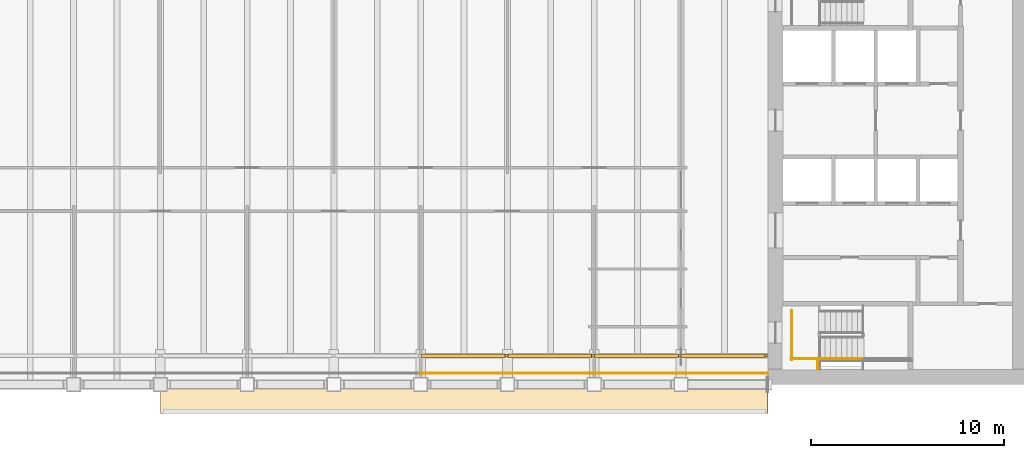
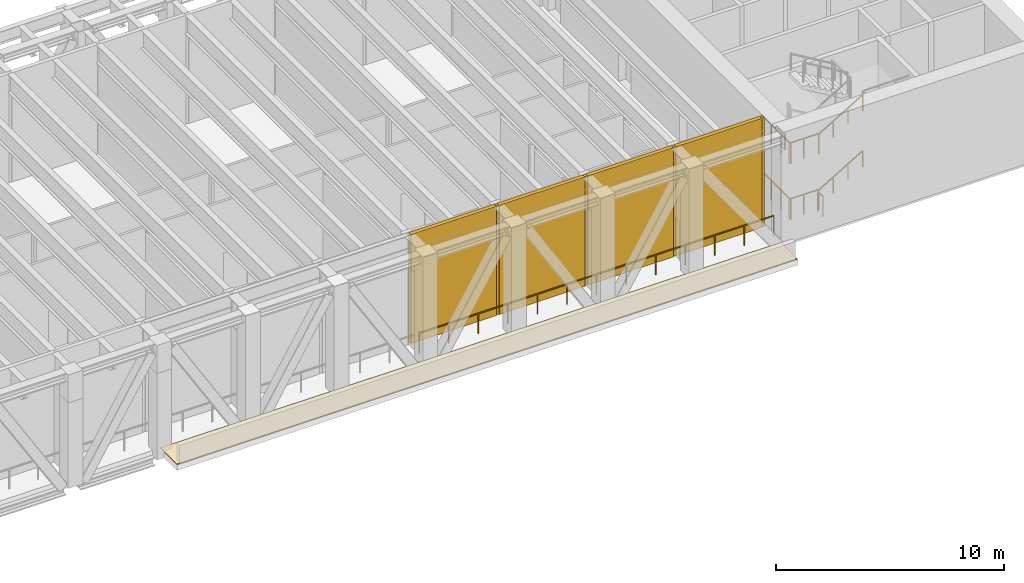
# One storey, part 16 of 20: 11 railings, 8 shading devices, 1 covering.
"""IFC4 building model written with IfcOpenShell, lengths in metres."""

import ifcopenshell
import ifcopenshell.guid

model = None  # the IFC model being written
_history = None  # IfcOwnerHistory: only IFC2X3 demands one
_inside = {}  # id of a spatial element -> (the spatial element, [elements in it])
_under = {}  # id of a project, library or spatial element -> (it, [spatial elements below it])
_declared = {}  # id of a project -> (the project, [libraries it declares])
_typed = {}  # id of a type object -> (the type object, [elements of that type])
_made_of = {}  # id of a material, layer set ... -> (it, [elements and type objects made of it])


def new_model(schema):
    """Start an empty IFC model of exactly this schema.

    Asked for "IFC4X3", IfcOpenShell would pick the latest addendum, in which some entities
    have other attributes; the version numbers below select the first issue.
    IFC2X3 requires an IfcOwnerHistory on every rooted entity: one is made here for all.
    """
    global model, _history
    if schema == "IFC4X3":
        model = ifcopenshell.file(schema_version=(4, 3, 0, 0))
    else:
        model = ifcopenshell.file(schema=schema)
    _inside.clear()
    _under.clear()
    _declared.clear()
    _typed.clear()
    _made_of.clear()
    _history = None
    if model.schema == "IFC2X3":
        org = make("IfcOrganization", Name="unknown")
        user = make(
            "IfcPersonAndOrganization",
            ThePerson=make("IfcPerson", FamilyName="unknown"),
            TheOrganization=org,
        )
        app = make(
            "IfcApplication",
            ApplicationDeveloper=org,
            Version="unknown",
            ApplicationFullName="unknown",
            ApplicationIdentifier="unknown",
        )
        _history = make(
            "IfcOwnerHistory",
            OwningUser=user,
            OwningApplication=app,
            ChangeAction="ADDED",
            CreationDate=0,
        )
    return model


def make(cls, **values):
    """One entity of the class cls with the attributes given. An attribute that is None is left unset."""
    return model.create_entity(
        cls, **{name: value for name, value in values.items() if value is not None}
    )


def rooted(cls, **values):
    """An entity with a GlobalId (a new one), such as an element, a storey or a relation."""
    return make(cls, GlobalId=ifcopenshell.guid.new(), OwnerHistory=_history, **values)


def si_unit(unit_type, name, prefix=None):
    """IfcSIUnit, for example si_unit("LENGTHUNIT", "METRE", prefix="MILLI")."""
    return make("IfcSIUnit", UnitType=unit_type, Prefix=prefix, Name=name)


def assignment(units):
    """IfcUnitAssignment: the units of a project."""
    return None if units is None else make("IfcUnitAssignment", Units=units)


def point(xyz):
    """IfcCartesianPoint."""
    return None if xyz is None else make("IfcCartesianPoint", Coordinates=xyz)


def direction(xyz):
    """IfcDirection."""
    return None if xyz is None else make("IfcDirection", DirectionRatios=xyz)


def frame(location, z_axis=None, x_axis=None):
    """IfcAxis2Placement3D, a coordinate frame: its origin and axes. An axis left out is left unset."""
    return make(
        "IfcAxis2Placement3D",
        Location=point(location),
        Axis=direction(z_axis),
        RefDirection=direction(x_axis),
    )


def frame_2d(location, x_axis=None):
    """IfcAxis2Placement2D, a coordinate frame in the plane: its origin and x axis."""
    return make(
        "IfcAxis2Placement2D", Location=point(location), RefDirection=direction(x_axis)
    )


def origin():
    """The frame at (0, 0, 0) with its axes left unset."""
    return frame((0.0, 0.0, 0.0))


def origin_2d():
    """The frame at (0, 0) in the plane with its x axis left unset."""
    return frame_2d((0.0, 0.0))


def place(relative_to, where):
    """IfcLocalPlacement: puts the frame where relative to a parent placement (None: the world)."""
    return make(
        "IfcLocalPlacement", PlacementRelTo=relative_to, RelativePlacement=where
    )


def context(
    kind, dimensions, precision=None, world=None, true_north=None, identifier=None
):
    """IfcGeometricRepresentationContext, for example the 3D "Model" context."""
    return make(
        "IfcGeometricRepresentationContext",
        ContextIdentifier=identifier,
        ContextType=kind,
        CoordinateSpaceDimension=dimensions,
        Precision=precision,
        WorldCoordinateSystem=world,
        TrueNorth=true_north,
    )


def subcontext(parent, identifier, kind, view, scale=None):
    """IfcGeometricRepresentationSubContext, for example "Body" below "Model"."""
    return make(
        "IfcGeometricRepresentationSubContext",
        ContextIdentifier=identifier,
        ContextType=kind,
        ParentContext=parent,
        TargetScale=scale,
        TargetView=view,
    )


def project(units=None, contexts=None):
    """IfcProject with its units and contexts."""
    return rooted(
        "IfcProject",
        Name="project",
        RepresentationContexts=contexts,
        UnitsInContext=assignment(units),
    )


def spatial(cls, under=None, at=None, **own):
    """A site, building, storey or space (cls), placed at a placement, below another one or the project."""
    s = rooted(cls, ObjectPlacement=at, **own)
    if under is not None:
        _under.setdefault(under.id(), (under, []))[1].append(s)
    return s


def polyline(points):
    """IfcPolyline through the points."""
    return make("IfcPolyline", Points=[point(p) for p in points])


def profile(cls, at=None, kind="AREA", **sizes):
    """A parametric profile (cls). Its sizes go by their IFC names, for example OverallWidth=200.0."""
    return make(cls, ProfileType=kind, Position=at, **sizes)


def rectangle(**sizes):
    """IfcRectangleProfileDef."""
    return profile("IfcRectangleProfileDef", **sizes)


def outline(outer, holes=None, kind="AREA"):
    """IfcArbitraryClosedProfileDef: a profile drawn as a closed curve; with holes, ...WithVoids."""
    if holes is None:
        return make("IfcArbitraryClosedProfileDef", ProfileType=kind, OuterCurve=outer)
    return make(
        "IfcArbitraryProfileDefWithVoids",
        ProfileType=kind,
        OuterCurve=outer,
        InnerCurves=holes,
    )


def extrude(swept, where, along, depth):
    """IfcExtrudedAreaSolid: the profile swept, set in the frame where, extruded along a direction by depth."""
    return make(
        "IfcExtrudedAreaSolid",
        SweptArea=swept,
        Position=where,
        ExtrudedDirection=direction(along),
        Depth=depth,
    )


def shape(context_of_items, identifier, shape_type, items):
    """IfcShapeRepresentation: the items that make up one representation, for example the "Body"."""
    return make(
        "IfcShapeRepresentation",
        ContextOfItems=context_of_items,
        RepresentationIdentifier=identifier,
        RepresentationType=shape_type,
        Items=items,
    )


def material(Name=None, Category=None):
    """IfcMaterial."""
    return make("IfcMaterial", Name=Name, Category=Category)


def layer(
    of_material, thickness, ventilated=None, Name=None, Category=None, Priority=None
):
    """IfcMaterialLayer: one layer of a wall or slab, of a material (None: an air gap)."""
    return make(
        "IfcMaterialLayer",
        Material=of_material,
        LayerThickness=thickness,
        IsVentilated=ventilated,
        Name=Name,
        Category=Category,
        Priority=Priority,
    )


def layer_set(layers, Name=None):
    """IfcMaterialLayerSet."""
    return make("IfcMaterialLayerSet", MaterialLayers=layers, LayerSetName=Name)


def made_of(thing, what):
    """Note that an element or type object is made of a material, layer set ...; save() writes the relation."""
    if what is not None:
        _made_of.setdefault(what.id(), (what, []))[1].append(thing)
    return thing


def type_object(cls, material=None, **own):
    """A type object (cls), such as IfcWallType, which elements share."""
    return made_of(rooted(cls, **own), material)


def element(
    cls,
    number,
    at=None,
    inside=None,
    cuts=None,
    type_object=None,
    material=None,
    context=None,
    identifier="Body",
    shape_type=None,
    held_by="IfcProductDefinitionShape",
    body=None,
    shapes=None,
    **own,
):
    """One element of the class cls, such as IfcWall. Its Tag is "e" and its number.

    at: its placement. inside: the storey or other place that contains it. cuts: it is an
    opening in that element (IfcRelVoidsElement). A single representation is given by context,
    identifier, shape_type and body (its items); several are given by shapes. held_by: the class
    of the entity that holds the representations. save() writes the other relations.
    """
    e = rooted(cls, Tag="e%d" % number, ObjectPlacement=at, **own)
    if body is not None:
        shapes = [shape(context, identifier, shape_type, body)]
    if shapes is not None:
        e.Representation = make(held_by, Representations=shapes)
    if inside is not None:
        _inside.setdefault(inside.id(), (inside, []))[1].append(e)
    if cuts is not None:
        rooted(
            "IfcRelVoidsElement", RelatingBuildingElement=cuts, RelatedOpeningElement=e
        )
    if type_object is not None:
        _typed.setdefault(type_object.id(), (type_object, []))[1].append(e)
    return made_of(e, material)


def aggregate(whole, parts):
    """IfcRelAggregates: a whole, such as a stair, and the parts it consists of."""
    return rooted("IfcRelAggregates", RelatingObject=whole, RelatedObjects=parts)


def save(model, path):
    """Write the relations noted so far, then the file.

    IfcRelAggregates (storeys below a building ...), IfcRelContainedInSpatialStructure (elements
    in a storey), IfcRelDefinesByType, IfcRelAssociatesMaterial and IfcRelDeclares: one each for
    every whole, place, type object, material and project.
    """
    for whole, parts in _under.values():
        aggregate(whole, parts)
    for where, things in _inside.values():
        rooted(
            "IfcRelContainedInSpatialStructure",
            RelatedElements=things,
            RelatingStructure=where,
        )
    for kind, things in _typed.values():
        rooted("IfcRelDefinesByType", RelatedObjects=things, RelatingType=kind)
    for what, things in _made_of.values():
        rooted("IfcRelAssociatesMaterial", RelatedObjects=things, RelatingMaterial=what)
    for by, libraries in _declared.values():
        rooted("IfcRelDeclares", RelatingContext=by, RelatedDefinitions=libraries)
    model.write(path)


model = new_model("IFC4")

# Units and contexts
model_context = context("Model", 3, precision=1e-05, world=origin(), true_north=direction((0.0, 1.0)))
body_context = subcontext(model_context, "Body", "Model", "MODEL_VIEW")
ifc_project = project(units=[si_unit("LENGTHUNIT", "METRE"), si_unit("AREAUNIT", "SQUARE_METRE"), si_unit("VOLUMEUNIT", "CUBIC_METRE"), si_unit("PLANEANGLEUNIT", "RADIAN"), si_unit("MASSUNIT", "GRAM", prefix="KILO")], contexts=[model_context])

# Site, building, storey
site_placement = place(None, origin())
site = spatial("IfcSite", under=ifc_project, at=site_placement, CompositionType="ELEMENT")
building_placement = place(site_placement, origin())
building = spatial("IfcBuilding", under=site, at=building_placement, Name="Sennacour Bend Tower", CompositionType="ELEMENT")
storey_placement = place(building_placement, frame((0.0, 0.0, 243.0)))
storey = spatial("IfcBuildingStorey", under=building, at=storey_placement, Name="L56", CompositionType="ELEMENT", Elevation=243.0)

# Covering
ifc_material_1 = material(Name="Bituminous roofing membrane")
ifc_layer_1 = layer(ifc_material_1, 0.0400390625, Name="Bituminous roofing membrane")
ifc_layer_set_1 = layer_set([ifc_layer_1], Name="Bituminous roofing membrane")
covering_type = type_object("IfcCoveringType", Name="COV-ROOFING-40", PredefinedType="ROOFING", material=ifc_layer_set_1)
covering_placement = place(storey_placement, origin())
element("IfcCovering", 1, at=covering_placement, inside=storey, type_object=covering_type, Name="Roofing Wing B Roof", PredefinedType="ROOFING", context=body_context, shape_type="SweptSolid", body=[
    extrude(outline(polyline([(53.989990234375, -0.0400390625), (53.989990234375, -1.489990234375), (22.510009765625, -1.489990234375), (22.510009765625, -0.0400390625), (53.989990234375, -0.0400390625)])), origin(), (0.0, 0.0, 1.0), 0.0400390625),
])

# Railings
ifc_material_2 = material(Name="Stainless steel 316", Category="steel")
railing_type_1 = type_object("IfcRailingType", Name="GUARD 1100", PredefinedType="GUARDRAIL", material=ifc_material_2)
railing_1_placement = place(storey_placement, frame((53.9990234375, 0.60009765625, 0.0)))
element("IfcRailing", 2, at=railing_1_placement, inside=storey, type_object=railing_type_1, Name="Guard L56", PredefinedType="GUARDRAIL", context=body_context, shape_type="SweptSolid", body=[
    extrude(rectangle(XDim=0.048095703125, YDim=0.048095703125, at=origin_2d()), frame((0.0, 0.0, 1.076171875), z_axis=(-1.0, 0.0, 0.0), x_axis=(0.0, -1.0, 0.0)), (0.0, 0.0, 1.0), 4.5),
    extrude(rectangle(XDim=0.0419921875, YDim=0.0419921875, at=origin_2d()), origin(), (0.0, 0.0, 1.0), 1.052001953125),
    extrude(rectangle(XDim=0.0419921875, YDim=0.0419921875, at=origin_2d()), frame((-1.5, 0.0, 0.0)), (0.0, 0.0, 1.0), 1.052001953125),
    extrude(rectangle(XDim=0.0419921875, YDim=0.0419921875, at=origin_2d()), frame((-3.0, 0.0, 0.0)), (0.0, 0.0, 1.0), 1.052001953125),
    extrude(rectangle(XDim=0.0419921875, YDim=0.0419921875, at=origin_2d()), frame((-4.5, 0.0, 0.0)), (0.0, 0.0, 1.0), 1.052001953125),
])
for number, where, name in (
    (3, (49.4990234375, 0.60009765625, 0.0), "Guard L56"),
    (4, (44.999267578125, 0.60009765625, 0.0), "Guard L56"),
):
    element("IfcRailing", number, at=place(storey_placement, frame(where)), inside=storey, type_object=railing_type_1, Name=name, PredefinedType="GUARDRAIL", context=body_context, shape_type="SweptSolid", body=[
        extrude(rectangle(XDim=0.048095703125, YDim=0.048095703125, at=origin_2d()), frame((0.0, 0.0, 1.076171875), z_axis=(-1.0, 0.0, 0.0), x_axis=(0.0, -1.0, 0.0)), (0.0, 0.0, 1.0), 4.499755859375),
        extrude(rectangle(XDim=0.0419921875, YDim=0.0419921875, at=origin_2d()), origin(), (0.0, 0.0, 1.0), 1.052001953125),
        extrude(rectangle(XDim=0.0419921875, YDim=0.0419921875, at=origin_2d()), frame((-1.5, 0.0, 0.0)), (0.0, 0.0, 1.0), 1.052001953125),
        extrude(rectangle(XDim=0.0419921875, YDim=0.0419921875, at=origin_2d()), frame((-2.999755859375, 0.0, 0.0)), (0.0, 0.0, 1.0), 1.052001953125),
        extrude(rectangle(XDim=0.0419921875, YDim=0.0419921875, at=origin_2d()), frame((-4.499755859375, 0.0, 0.0)), (0.0, 0.0, 1.0), 1.052001953125),
    ])
railing_2_placement = place(storey_placement, frame((40.49951171875, 0.60009765625, 0.0)))
element("IfcRailing", 5, at=railing_2_placement, inside=storey, type_object=railing_type_1, Name="Guard L56", PredefinedType="GUARDRAIL", context=body_context, shape_type="SweptSolid", body=[
    extrude(rectangle(XDim=0.048095703125, YDim=0.048095703125, at=origin_2d()), frame((0.0, 0.0, 1.076171875), z_axis=(-1.0, 0.0, 0.0), x_axis=(0.0, -1.0, 0.0)), (0.0, 0.0, 1.0), 4.5),
    extrude(rectangle(XDim=0.0419921875, YDim=0.0419921875, at=origin_2d()), origin(), (0.0, 0.0, 1.0), 1.052001953125),
    extrude(rectangle(XDim=0.0419921875, YDim=0.0419921875, at=origin_2d()), frame((-1.5, 0.0, 0.0)), (0.0, 0.0, 1.0), 1.052001953125),
    extrude(rectangle(XDim=0.0419921875, YDim=0.0419921875, at=origin_2d()), frame((-3.0, 0.0, 0.0)), (0.0, 0.0, 1.0), 1.052001953125),
    extrude(rectangle(XDim=0.0419921875, YDim=0.0419921875, at=origin_2d()), frame((-4.5, 0.0, 0.0)), (0.0, 0.0, 1.0), 1.052001953125),
])

# Shading devices
ifc_material_3 = material(Name="Dark bronze anodised aluminium louvre", Category="aluminium")
ifc_layer_2 = layer(ifc_material_3, 0.199951171875, Name="Dark bronze anodised aluminium louvre", Category="aluminium")
ifc_layer_set_2 = layer_set([ifc_layer_2], Name="Dark bronze anodised aluminium louvre")
shading_device_type_1 = type_object("IfcShadingDeviceType", Name="LOUVRE BANK 200", PredefinedType="USERDEFINED", material=ifc_layer_set_2)
for number, where, z_axis, x_axis, name in (
    (6, (51.679443359375, 1.5, 0.0), (0.0, 0.0, 1.0), (-1.0, 0.0, 0.0), "Louvre bank L56"),
    (7, (47.190185546875, 1.5, 0.0), (0.0, 0.0, 1.0), (-1.0, 0.0, 0.0), "Louvre bank L56"),
    (8, (42.701171875, 1.5, 0.0), (0.0, 0.0, 1.0), (-1.0, 0.0, 0.0), "Louvre bank L56"),
    (9, (38.2119140625, 1.5, 0.0), (0.0, 0.0, 1.0), (-1.0, 0.0, 0.0), "Louvre bank L56"),
):
    element("IfcShadingDevice", number, at=place(storey_placement, frame(where, z_axis=z_axis, x_axis=x_axis)), inside=storey, type_object=shading_device_type_1, Name=name, ObjectType="LOUVRE", PredefinedType="USERDEFINED", context=body_context, shape_type="SweptSolid", body=[
        extrude(rectangle(XDim=4.34912109375, YDim=0.199951171875, at=origin_2d()), origin(), (0.0, 0.0, 1.0), 5.85009765625),
    ])
shading_device_type_2 = type_object("IfcShadingDeviceType", Name="LOUVRE WALL POST 150", PredefinedType="USERDEFINED", material=ifc_material_3)
for number, where, z_axis, x_axis, name in (
    (10, (53.924072265625, 1.5, 0.0), (0.0, 0.0, 1.0), (1.0, 0.0, 0.0), "Louvre wall post L56"),
    (11, (49.434814453125, 1.5, 0.0), (0.0, 0.0, 1.0), (1.0, 0.0, 0.0), "Louvre wall post L56"),
    (12, (44.94580078125, 1.5, 0.0), (0.0, 0.0, 1.0), (1.0, 0.0, 0.0), "Louvre wall post L56"),
    (13, (40.45654296875, 1.5, 0.0), (0.0, 0.0, 1.0), (1.0, 0.0, 0.0), "Louvre wall post L56"),
):
    element("IfcShadingDevice", number, at=place(storey_placement, frame(where, z_axis=z_axis, x_axis=x_axis)), inside=storey, type_object=shading_device_type_2, Name=name, ObjectType="LOUVRE", PredefinedType="USERDEFINED", context=body_context, shape_type="SweptSolid", body=[
        extrude(rectangle(XDim=0.14990234375, YDim=0.14990234375, at=origin_2d()), origin(), (0.0, 0.0, 1.0), 5.85009765625),
    ])

# Railings
ifc_material_4 = material(Name="Stainless steel", Category="steel")
railing_type_2 = type_object("IfcRailingType", Name="RL-GUARD-1100", PredefinedType="GUARDRAIL", material=ifc_material_4)
railing_3_placement = place(storey_placement, frame((55.199951171875, 1.35009765625, 3.0)))
element("IfcRailing", 14, at=railing_3_placement, inside=storey, type_object=railing_type_2, Name="L56 SA1 stair guard 6", PredefinedType="GUARDRAIL", context=body_context, shape_type="SweptSolid", body=[
    extrude(rectangle(XDim=0.048095703125, YDim=0.048095703125, at=origin_2d()), frame((0.0, 0.0, 1.076171875), z_axis=(1.0, 0.0, 0.0), x_axis=(0.0, 1.0, 0.0)), (0.0, 0.0, 1.0), 1.5),
    extrude(rectangle(XDim=0.0419921875, YDim=0.0419921875, at=origin_2d()), origin(), (0.0, 0.0, 1.0), 1.052001953125),
    extrude(rectangle(XDim=0.0419921875, YDim=0.0419921875, at=origin_2d()), frame((0.75, 0.0, 0.0)), (0.0, 0.0, 1.0), 1.052001953125),
    extrude(rectangle(XDim=0.0419921875, YDim=0.0419921875, at=origin_2d()), frame((1.5, 0.0, 0.0)), (0.0, 0.0, 1.0), 1.052001953125),
])
railing_4_placement = place(storey_placement, frame((55.25, 1.300048828125, 3.0)))
element("IfcRailing", 15, at=railing_4_placement, inside=storey, type_object=railing_type_2, Name="L56 SA1 stair guard 7", PredefinedType="GUARDRAIL", context=body_context, shape_type="SweptSolid", body=[
    extrude(rectangle(XDim=0.048095703125, YDim=0.048095703125, at=origin_2d()), frame((0.0, 0.0, 1.076171875), z_axis=(0.0, 1.0, 0.0), x_axis=(-1.0, 0.0, 0.0)), (0.0, 0.0, 1.0), 2.550048828125),
    extrude(rectangle(XDim=0.0419921875, YDim=0.0419921875, at=origin_2d()), origin(), (0.0, 0.0, 1.0), 1.052001953125),
    extrude(rectangle(XDim=0.0419921875, YDim=0.0419921875, at=origin_2d()), frame((0.0, 0.85009765625, 0.0)), (0.0, 0.0, 1.0), 1.052001953125),
    extrude(rectangle(XDim=0.0419921875, YDim=0.0419921875, at=origin_2d()), frame((0.0, 1.699951171875, 0.0)), (0.0, 0.0, 1.0), 1.052001953125),
    extrude(rectangle(XDim=0.0419921875, YDim=0.0419921875, at=origin_2d()), frame((0.0, 2.550048828125, 0.0)), (0.0, 0.0, 1.0), 1.052001953125),
])
railing_5_placement = place(storey_placement, frame((55.199951171875, 1.35009765625, 0.0)))
element("IfcRailing", 16, at=railing_5_placement, inside=storey, type_object=railing_type_2, Name="L56 SA1 stair guard 13", PredefinedType="GUARDRAIL", context=body_context, shape_type="SweptSolid", body=[
    extrude(rectangle(XDim=0.048095703125, YDim=0.048095703125, at=origin_2d()), frame((0.0, 0.0, 1.076171875), z_axis=(1.0, 0.0, 0.0), x_axis=(0.0, 1.0, 0.0)), (0.0, 0.0, 1.0), 1.5),
    extrude(rectangle(XDim=0.0419921875, YDim=0.0419921875, at=origin_2d()), origin(), (0.0, 0.0, 1.0), 1.052001953125),
    extrude(rectangle(XDim=0.0419921875, YDim=0.0419921875, at=origin_2d()), frame((0.75, 0.0, 0.0)), (0.0, 0.0, 1.0), 1.052001953125),
    extrude(rectangle(XDim=0.0419921875, YDim=0.0419921875, at=origin_2d()), frame((1.5, 0.0, 0.0)), (0.0, 0.0, 1.0), 1.052001953125),
])
railing_6_placement = place(storey_placement, frame((55.25, 1.300048828125, 0.0)))
element("IfcRailing", 17, at=railing_6_placement, inside=storey, type_object=railing_type_2, Name="L56 SA1 stair guard 14", PredefinedType="GUARDRAIL", context=body_context, shape_type="SweptSolid", body=[
    extrude(rectangle(XDim=0.048095703125, YDim=0.048095703125, at=origin_2d()), frame((0.0, 0.0, 1.076171875), z_axis=(0.0, 1.0, 0.0), x_axis=(-1.0, 0.0, 0.0)), (0.0, 0.0, 1.0), 2.550048828125),
    extrude(rectangle(XDim=0.0419921875, YDim=0.0419921875, at=origin_2d()), origin(), (0.0, 0.0, 1.0), 1.052001953125),
    extrude(rectangle(XDim=0.0419921875, YDim=0.0419921875, at=origin_2d()), frame((0.0, 0.85009765625, 0.0)), (0.0, 0.0, 1.0), 1.052001953125),
    extrude(rectangle(XDim=0.0419921875, YDim=0.0419921875, at=origin_2d()), frame((0.0, 1.699951171875, 0.0)), (0.0, 0.0, 1.0), 1.052001953125),
    extrude(rectangle(XDim=0.0419921875, YDim=0.0419921875, at=origin_2d()), frame((0.0, 2.550048828125, 0.0)), (0.0, 0.0, 1.0), 1.052001953125),
])
railing_7_placement = place(storey_placement, frame((56.60009765625, 1.25, 0.0)))
element("IfcRailing", 18, at=railing_7_placement, inside=storey, type_object=railing_type_2, Name="L56 SA1 landing edge guard 143", PredefinedType="GUARDRAIL", context=body_context, shape_type="SweptSolid", body=[
    extrude(rectangle(XDim=0.048095703125, YDim=0.048095703125, at=origin_2d()), frame((0.0, 0.0, 1.076171875), z_axis=(0.0, -1.0, 0.0), x_axis=(1.0, 0.0, 0.0)), (0.0, 0.0, 1.0), 0.449951171875),
    extrude(rectangle(XDim=0.0419921875, YDim=0.0419921875, at=origin_2d()), origin(), (0.0, 0.0, 1.0), 1.052001953125),
    extrude(rectangle(XDim=0.0419921875, YDim=0.0419921875, at=origin_2d()), frame((0.0, -0.449951171875, 0.0)), (0.0, 0.0, 1.0), 1.052001953125),
])
railing_type_3 = type_object("IfcRailingType", Name="RL-HANDRAIL-900", PredefinedType="HANDRAIL", material=ifc_material_4)
for number, where, name in (
    (19, (56.699951171875, 1.35009765625, 0.166748046875), "L56 SA1 stair handrail 1"),
    (20, (56.699951171875, 1.35009765625, 3.166748046875), "L56 SA1 stair handrail 3"),
):
    element("IfcRailing", number, at=place(storey_placement, frame(where)), inside=storey, type_object=railing_type_3, Name=name, PredefinedType="HANDRAIL", context=body_context, shape_type="SweptSolid", body=[
        extrude(rectangle(XDim=0.048095703125, YDim=0.048095703125, at=origin_2d()), frame((0.0, 0.0, 0.8759765625), z_axis=(0.859305625298, 0.0, 0.511462454469), x_axis=(0.0, 1.0, 0.0)), (0.0, 0.0, 1.0), 2.606689453125),
        extrude(rectangle(XDim=0.0419921875, YDim=0.0419921875, at=origin_2d()), origin(), (0.0, 0.0, 1.0), 0.851806640625),
        extrude(rectangle(XDim=0.0419921875, YDim=0.0419921875, at=origin_2d()), frame((0.74658203125, 0.0, 0.4443359375)), (0.0, 0.0, 1.0), 0.851806640625),
        extrude(rectangle(XDim=0.0419921875, YDim=0.0419921875, at=origin_2d()), frame((1.493408203125, 0.0, 0.888916015625)), (0.0, 0.0, 1.0), 0.851806640625),
        extrude(rectangle(XDim=0.0419921875, YDim=0.0419921875, at=origin_2d()), frame((2.239990234375, 0.0, 1.333251953125)), (0.0, 0.0, 1.0), 0.851806640625),
    ])

save(model, "model.ifc")
